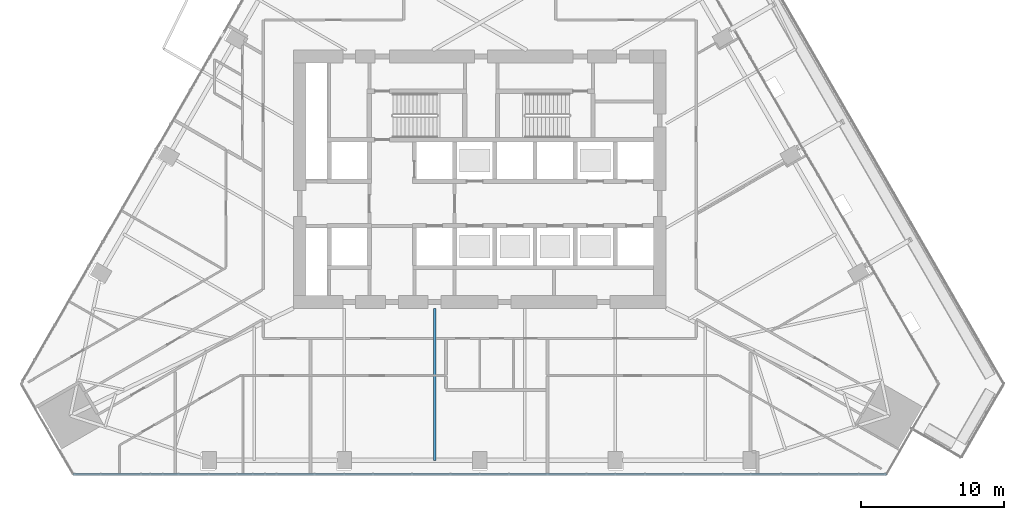
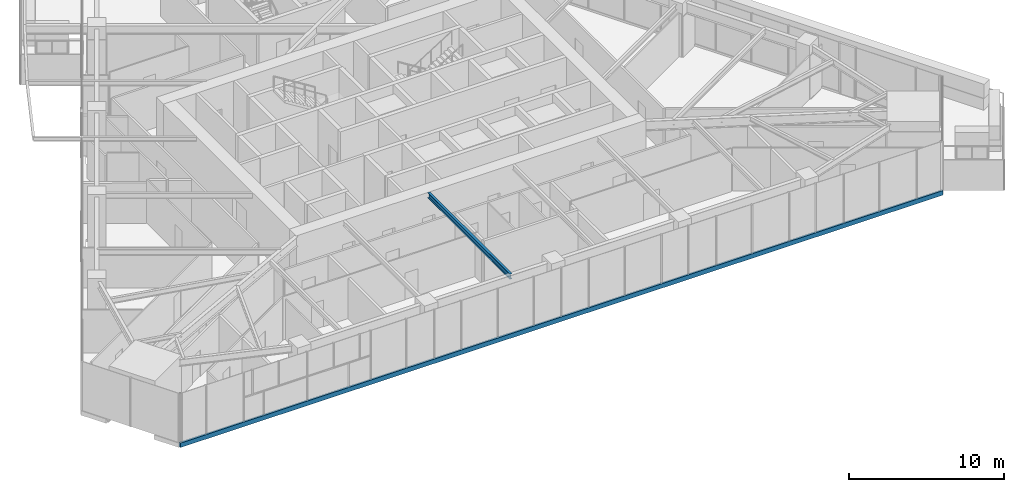
# One storey, part 3 of 29: 1 beam, 1 member, 1 element without a shape of its own.
"""IFC4 building model written with IfcOpenShell, lengths in metres."""

import ifcopenshell
import ifcopenshell.guid

model = None  # the IFC model being written
_history = None  # IfcOwnerHistory: only IFC2X3 demands one
_inside = {}  # id of a spatial element -> (the spatial element, [elements in it])
_under = {}  # id of a project, library or spatial element -> (it, [spatial elements below it])
_declared = {}  # id of a project -> (the project, [libraries it declares])
_typed = {}  # id of a type object -> (the type object, [elements of that type])
_made_of = {}  # id of a material, layer set ... -> (it, [elements and type objects made of it])


def new_model(schema):
    """Start an empty IFC model of exactly this schema.

    Asked for "IFC4X3", IfcOpenShell would pick the latest addendum, in which some entities
    have other attributes; the version numbers below select the first issue.
    IFC2X3 requires an IfcOwnerHistory on every rooted entity: one is made here for all.
    """
    global model, _history
    if schema == "IFC4X3":
        model = ifcopenshell.file(schema_version=(4, 3, 0, 0))
    else:
        model = ifcopenshell.file(schema=schema)
    _inside.clear()
    _under.clear()
    _declared.clear()
    _typed.clear()
    _made_of.clear()
    _history = None
    if model.schema == "IFC2X3":
        org = make("IfcOrganization", Name="unknown")
        user = make(
            "IfcPersonAndOrganization",
            ThePerson=make("IfcPerson", FamilyName="unknown"),
            TheOrganization=org,
        )
        app = make(
            "IfcApplication",
            ApplicationDeveloper=org,
            Version="unknown",
            ApplicationFullName="unknown",
            ApplicationIdentifier="unknown",
        )
        _history = make(
            "IfcOwnerHistory",
            OwningUser=user,
            OwningApplication=app,
            ChangeAction="ADDED",
            CreationDate=0,
        )
    return model


def make(cls, **values):
    """One entity of the class cls with the attributes given. An attribute that is None is left unset."""
    return model.create_entity(
        cls, **{name: value for name, value in values.items() if value is not None}
    )


def rooted(cls, **values):
    """An entity with a GlobalId (a new one), such as an element, a storey or a relation."""
    return make(cls, GlobalId=ifcopenshell.guid.new(), OwnerHistory=_history, **values)


def si_unit(unit_type, name, prefix=None):
    """IfcSIUnit, for example si_unit("LENGTHUNIT", "METRE", prefix="MILLI")."""
    return make("IfcSIUnit", UnitType=unit_type, Prefix=prefix, Name=name)


def assignment(units):
    """IfcUnitAssignment: the units of a project."""
    return None if units is None else make("IfcUnitAssignment", Units=units)


def point(xyz):
    """IfcCartesianPoint."""
    return None if xyz is None else make("IfcCartesianPoint", Coordinates=xyz)


def direction(xyz):
    """IfcDirection."""
    return None if xyz is None else make("IfcDirection", DirectionRatios=xyz)


def frame(location, z_axis=None, x_axis=None):
    """IfcAxis2Placement3D, a coordinate frame: its origin and axes. An axis left out is left unset."""
    return make(
        "IfcAxis2Placement3D",
        Location=point(location),
        Axis=direction(z_axis),
        RefDirection=direction(x_axis),
    )


def frame_2d(location, x_axis=None):
    """IfcAxis2Placement2D, a coordinate frame in the plane: its origin and x axis."""
    return make(
        "IfcAxis2Placement2D", Location=point(location), RefDirection=direction(x_axis)
    )


def origin():
    """The frame at (0, 0, 0) with its axes left unset."""
    return frame((0.0, 0.0, 0.0))


def origin_2d():
    """The frame at (0, 0) in the plane with its x axis left unset."""
    return frame_2d((0.0, 0.0))


def place(relative_to, where):
    """IfcLocalPlacement: puts the frame where relative to a parent placement (None: the world)."""
    return make(
        "IfcLocalPlacement", PlacementRelTo=relative_to, RelativePlacement=where
    )


def context(
    kind, dimensions, precision=None, world=None, true_north=None, identifier=None
):
    """IfcGeometricRepresentationContext, for example the 3D "Model" context."""
    return make(
        "IfcGeometricRepresentationContext",
        ContextIdentifier=identifier,
        ContextType=kind,
        CoordinateSpaceDimension=dimensions,
        Precision=precision,
        WorldCoordinateSystem=world,
        TrueNorth=true_north,
    )


def subcontext(parent, identifier, kind, view, scale=None):
    """IfcGeometricRepresentationSubContext, for example "Body" below "Model"."""
    return make(
        "IfcGeometricRepresentationSubContext",
        ContextIdentifier=identifier,
        ContextType=kind,
        ParentContext=parent,
        TargetScale=scale,
        TargetView=view,
    )


def project(units=None, contexts=None):
    """IfcProject with its units and contexts."""
    return rooted(
        "IfcProject",
        Name="project",
        RepresentationContexts=contexts,
        UnitsInContext=assignment(units),
    )


def spatial(cls, under=None, at=None, **own):
    """A site, building, storey or space (cls), placed at a placement, below another one or the project."""
    s = rooted(cls, ObjectPlacement=at, **own)
    if under is not None:
        _under.setdefault(under.id(), (under, []))[1].append(s)
    return s


def profile(cls, at=None, kind="AREA", **sizes):
    """A parametric profile (cls). Its sizes go by their IFC names, for example OverallWidth=200.0."""
    return make(cls, ProfileType=kind, Position=at, **sizes)


def rectangle(**sizes):
    """IfcRectangleProfileDef."""
    return profile("IfcRectangleProfileDef", **sizes)


def i_section(**sizes):
    """IfcIShapeProfileDef."""
    return profile("IfcIShapeProfileDef", **sizes)


def extrude(swept, where, along, depth):
    """IfcExtrudedAreaSolid: the profile swept, set in the frame where, extruded along a direction by depth."""
    return make(
        "IfcExtrudedAreaSolid",
        SweptArea=swept,
        Position=where,
        ExtrudedDirection=direction(along),
        Depth=depth,
    )


def shape(context_of_items, identifier, shape_type, items):
    """IfcShapeRepresentation: the items that make up one representation, for example the "Body"."""
    return make(
        "IfcShapeRepresentation",
        ContextOfItems=context_of_items,
        RepresentationIdentifier=identifier,
        RepresentationType=shape_type,
        Items=items,
    )


def material(Name=None, Category=None):
    """IfcMaterial."""
    return make("IfcMaterial", Name=Name, Category=Category)


def layer(
    of_material, thickness, ventilated=None, Name=None, Category=None, Priority=None
):
    """IfcMaterialLayer: one layer of a wall or slab, of a material (None: an air gap)."""
    return make(
        "IfcMaterialLayer",
        Material=of_material,
        LayerThickness=thickness,
        IsVentilated=ventilated,
        Name=Name,
        Category=Category,
        Priority=Priority,
    )


def layer_set(layers, Name=None):
    """IfcMaterialLayerSet."""
    return make("IfcMaterialLayerSet", MaterialLayers=layers, LayerSetName=Name)


def material_profile(
    of_material, cross_section, Name=None, Category=None, Priority=None
):
    """IfcMaterialProfile: a cross section and its material."""
    return make(
        "IfcMaterialProfile",
        Name=Name,
        Material=of_material,
        Profile=cross_section,
        Priority=Priority,
        Category=Category,
    )


def profile_set(profiles, Name=None, composite=None):
    """IfcMaterialProfileSet."""
    return make(
        "IfcMaterialProfileSet",
        Name=Name,
        MaterialProfiles=profiles,
        CompositeProfile=composite,
    )


def made_of(thing, what):
    """Note that an element or type object is made of a material, layer set ...; save() writes the relation."""
    if what is not None:
        _made_of.setdefault(what.id(), (what, []))[1].append(thing)
    return thing


def type_object(cls, material=None, **own):
    """A type object (cls), such as IfcWallType, which elements share."""
    return made_of(rooted(cls, **own), material)


def element(
    cls,
    number,
    at=None,
    inside=None,
    cuts=None,
    type_object=None,
    material=None,
    context=None,
    identifier="Body",
    shape_type=None,
    held_by="IfcProductDefinitionShape",
    body=None,
    shapes=None,
    **own,
):
    """One element of the class cls, such as IfcWall. Its Tag is "e" and its number.

    at: its placement. inside: the storey or other place that contains it. cuts: it is an
    opening in that element (IfcRelVoidsElement). A single representation is given by context,
    identifier, shape_type and body (its items); several are given by shapes. held_by: the class
    of the entity that holds the representations. save() writes the other relations.
    """
    e = rooted(cls, Tag="e%d" % number, ObjectPlacement=at, **own)
    if body is not None:
        shapes = [shape(context, identifier, shape_type, body)]
    if shapes is not None:
        e.Representation = make(held_by, Representations=shapes)
    if inside is not None:
        _inside.setdefault(inside.id(), (inside, []))[1].append(e)
    if cuts is not None:
        rooted(
            "IfcRelVoidsElement", RelatingBuildingElement=cuts, RelatedOpeningElement=e
        )
    if type_object is not None:
        _typed.setdefault(type_object.id(), (type_object, []))[1].append(e)
    return made_of(e, material)


def aggregate(whole, parts):
    """IfcRelAggregates: a whole, such as a stair, and the parts it consists of."""
    return rooted("IfcRelAggregates", RelatingObject=whole, RelatedObjects=parts)


def save(model, path):
    """Write the relations noted so far, then the file.

    IfcRelAggregates (storeys below a building ...), IfcRelContainedInSpatialStructure (elements
    in a storey), IfcRelDefinesByType, IfcRelAssociatesMaterial and IfcRelDeclares: one each for
    every whole, place, type object, material and project.
    """
    for whole, parts in _under.values():
        aggregate(whole, parts)
    for where, things in _inside.values():
        rooted(
            "IfcRelContainedInSpatialStructure",
            RelatedElements=things,
            RelatingStructure=where,
        )
    for kind, things in _typed.values():
        rooted("IfcRelDefinesByType", RelatedObjects=things, RelatingType=kind)
    for what, things in _made_of.values():
        rooted("IfcRelAssociatesMaterial", RelatedObjects=things, RelatingMaterial=what)
    for by, libraries in _declared.values():
        rooted("IfcRelDeclares", RelatingContext=by, RelatedDefinitions=libraries)
    model.write(path)


model = new_model("IFC4")

# Units and contexts
model_context = context("Model", 3, precision=1e-05, world=origin(), true_north=direction((0.0, 1.0)))
body_context = subcontext(model_context, "Body", "Model", "MODEL_VIEW")
ifc_project = project(units=[si_unit("LENGTHUNIT", "METRE"), si_unit("AREAUNIT", "SQUARE_METRE"), si_unit("VOLUMEUNIT", "CUBIC_METRE"), si_unit("PLANEANGLEUNIT", "RADIAN"), si_unit("MASSUNIT", "GRAM", prefix="KILO")], contexts=[model_context])

# Site, building, storey
site_placement = place(None, origin())
site = spatial("IfcSite", under=ifc_project, at=site_placement, CompositionType="ELEMENT")
building_placement = place(site_placement, origin())
building = spatial("IfcBuilding", under=site, at=building_placement, Name="Firuza Gate Tower and Library", CompositionType="ELEMENT")
storey_placement = place(building_placement, frame((0.0, 0.0, 82.0)))
storey = spatial("IfcBuildingStorey", under=building, at=storey_placement, Name="L18", CompositionType="ELEMENT", Elevation=82.0)

# Curtain wall, member
ifc_material_1 = material(Name="Aluminium 6063-T6", Category="aluminium")
ifc_layer = layer(ifc_material_1, 0.14990234375)
ifc_layer_set = layer_set([ifc_layer], Name="Unitised curtain wall, offices")
curtain_wall_type = type_object("IfcCurtainWallType", Name="Unitised curtain wall, offices", PredefinedType="NOTDEFINED", material=ifc_layer_set)
curtain_wall_placement = place(storey_placement, origin())
curtain_wall = element("IfcCurtainWall", 1, at=curtain_wall_placement, inside=storey, type_object=curtain_wall_type, Name="CW1 L18 S face", PredefinedType="NOTDEFINED")
ifc_material_2 = material(Name="Aluminium 6063-T6", Category="aluminium")
ifc_material_profile_1 = material_profile(ifc_material_2, rectangle(XDim=0.14990234375, YDim=0.35009765625, at=origin_2d()))
ifc_profile_set_1 = profile_set([ifc_material_profile_1], Name="Aluminium 6063-T6")
member_type = type_object("IfcMemberType", Name="Curtain wall transom 350x150", PredefinedType="USERDEFINED", material=ifc_profile_set_1)
member_placement = place(storey_placement, frame((46.648193359375, 54.42431640625, -0.02490234375), z_axis=(1.0, 0.0, 0.0), x_axis=(0.0, 1.0, 0.0)))
member = element("IfcMember", 2, at=member_placement, type_object=member_type, Name="Transom", ObjectType="TRANSOM", PredefinedType="USERDEFINED", context=body_context, shape_type="SweptSolid", body=[
    extrude(rectangle(XDim=0.14990234375, YDim=0.35009765625, at=origin_2d()), origin(), (0.0, 0.0, 1.0), 56.70361328125),
])
aggregate(curtain_wall, [member])

# Beam
ifc_material_3 = material(Name="Steel S355", Category="steel")
ifc_material_profile_2 = material_profile(ifc_material_3, i_section(OverallWidth=0.177978515625, OverallDepth=0.406982421875, WebThickness=0.0078125, FlangeThickness=0.0126953125, at=origin_2d()))
ifc_profile_set_2 = profile_set([ifc_material_profile_2], Name="Steel S355")
beam_type = type_object("IfcBeamType", Name="W410x60 Floor beam", PredefinedType="JOIST", material=ifc_profile_set_2)
beam_placement = place(storey_placement, frame((71.854736328125, 55.399169921875, 3.79638671875), z_axis=(0.0, 1.0, 0.0), x_axis=(-1.0, 0.0, 0.0)))
element("IfcBeam", 3, at=beam_placement, inside=storey, type_object=beam_type, Name="Floor beam L18 s22", PredefinedType="JOIST", context=body_context, shape_type="SweptSolid", body=[
    extrude(i_section(OverallWidth=0.177978515625, OverallDepth=0.406982421875, WebThickness=0.0078125, FlangeThickness=0.0126953125, at=origin_2d()), origin(), (0.0, 0.0, 1.0), 10.600830078125),
])

save(model, "model.ifc")
